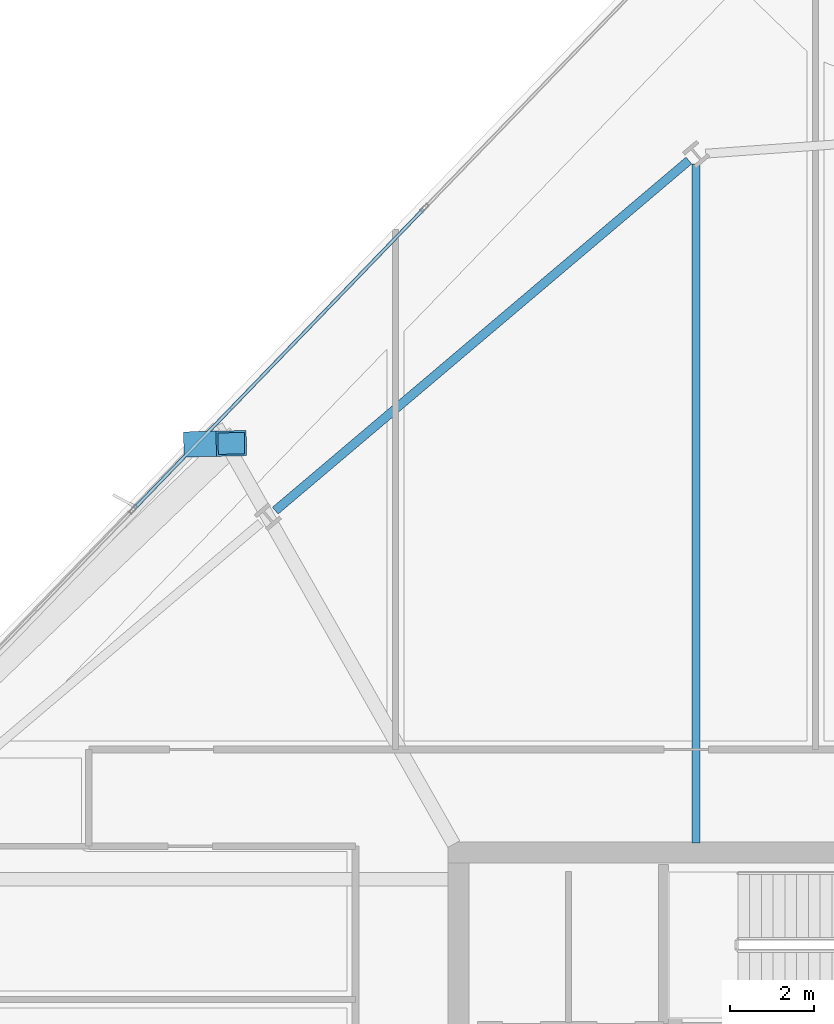
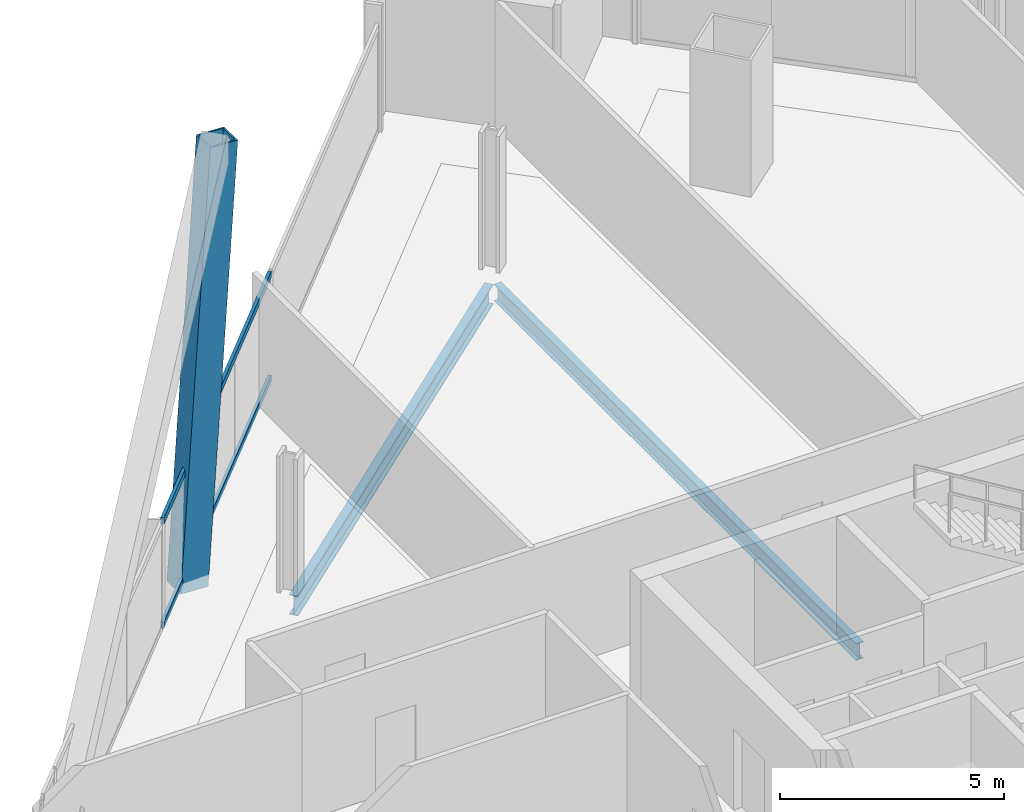
# One storey, part 18 of 33: 3 members, 2 beams, 1 element without a shape of its own.
"""IFC4 building model written with IfcOpenShell, lengths in metres."""

from ifc_helpers import new_model, si_unit, direction, frame, origin, origin_2d, place, context, subcontext, project, spatial, hollow_rectangle, i_section, extrude, material, material_profile, profile_set, type_object, element, aggregate, save


model = new_model("IFC4")

# Units and contexts
model_context = context("Model", 3, precision=1e-05, world=origin(), true_north=direction((0.0, 1.0)))
body_context = subcontext(model_context, "Body", "Model", "MODEL_VIEW")
ifc_project = project(units=[si_unit("LENGTHUNIT", "METRE"), si_unit("AREAUNIT", "SQUARE_METRE"), si_unit("VOLUMEUNIT", "CUBIC_METRE"), si_unit("PLANEANGLEUNIT", "RADIAN"), si_unit("MASSUNIT", "GRAM", prefix="KILO")], contexts=[model_context])

# Site, building, storey
site_placement = place(None, origin())
site = spatial("IfcSite", under=ifc_project, at=site_placement, CompositionType="ELEMENT")
building_placement = place(site_placement, origin())
building = spatial("IfcBuilding", under=site, at=building_placement, Name="Haldenkirk Collegiate Tower", CompositionType="ELEMENT")
storey_placement = place(building_placement, frame((0.0, 0.0, 181.949951171875)))
storey = spatial("IfcBuildingStorey", under=building, at=storey_placement, Name="L45", CompositionType="ELEMENT", Elevation=181.949951171875)

# Beams
ifc_material_1 = material(Name="Steel ASTM A992 Grade 50", Category="steel")
ifc_material_profile_1 = material_profile(ifc_material_1, i_section(OverallWidth=0.18994140625, OverallDepth=0.45703125, WebThickness=0.009033203125, FlangeThickness=0.014404296875, at=origin_2d()), Name="W18X50")
ifc_profile_set_1 = profile_set([ifc_material_profile_1], Name="Steel ASTM A992 Grade 50")
beam_type_1 = type_object("IfcBeamType", Name="BM-JOIST-W18X50", PredefinedType="JOIST", material=ifc_profile_set_1)
beam_1_placement = place(storey_placement, frame((32.657470703125, 50.390380859375, -0.5185546875), z_axis=(0.0, -1.0, 0.0), x_axis=(1.0, 0.0, 0.0)))
element("IfcBeam", 1, at=beam_1_placement, inside=storey, type_object=beam_type_1, Name="L45 composite floor joist 11", PredefinedType="JOIST", context=body_context, shape_type="SweptSolid", body=[
    extrude(i_section(OverallWidth=0.18994140625, OverallDepth=0.45703125, WebThickness=0.009033203125, FlangeThickness=0.014404296875, at=origin_2d()), origin(), (0.0, 0.0, 1.0), 16.160400390625),
])
ifc_material_profile_2 = material_profile(ifc_material_1, i_section(OverallWidth=0.2119140625, OverallDepth=0.5439453125, WebThickness=0.01318359375, FlangeThickness=0.021240234375, at=origin_2d()), Name="W21X83")
ifc_profile_set_2 = profile_set([ifc_material_profile_2], Name="Steel ASTM A992 Grade 50")
beam_type_2 = type_object("IfcBeamType", Name="BM-SPANDREL-W21X83", PredefinedType="SPANDREL", material=ifc_profile_set_2)
beam_2_placement = place(storey_placement, frame((32.482666015625, 50.471435546875, -0.56201171875), z_axis=(-0.763233335078, -0.646122957514, 0.0), x_axis=(0.646122957514, -0.763233335078, 0.0)))
element("IfcBeam", 2, at=beam_2_placement, inside=storey, type_object=beam_type_2, Name="L45 perimeter spandrel beam 10", PredefinedType="SPANDREL", context=body_context, shape_type="SweptSolid", body=[
    extrude(i_section(OverallWidth=0.2119140625, OverallDepth=0.5439453125, WebThickness=0.01318359375, FlangeThickness=0.021240234375, at=origin_2d()), origin(), (0.0, 0.0, 1.0), 12.898193359375),
])

# Curtain wall, members
ifc_material_2 = material(Name="Anodised architectural bronze aluminium", Category="aluminium")
curtain_wall_type = type_object("IfcCurtainWallType", Name="CW-SYS1-CONVEX-LOW", PredefinedType="USERDEFINED", material=ifc_material_2)
curtain_wall_placement = place(storey_placement, origin())
curtain_wall = element("IfcCurtainWall", 3, at=curtain_wall_placement, inside=storey, type_object=curtain_wall_type, Name="L45 Lower tower convex bronze-framed unitised curtain wall", ObjectType="UNITISED CURTAIN WALL", PredefinedType="USERDEFINED")
ifc_material_profile_3 = material_profile(ifc_material_2, hollow_rectangle(XDim=0.080078125, YDim=0.179931640625, WallThickness=0.0048828125, at=origin_2d()), Name="CW-TRN-1A")
ifc_profile_set_3 = profile_set([ifc_material_profile_3], Name="Anodised architectural bronze aluminium")
member_type_1 = type_object("IfcMemberType", Name="CW-TRN-1A", PredefinedType="USERDEFINED", material=ifc_profile_set_3)
member_1_placement = place(storey_placement, frame((19.288818359375, 42.193603515625, 0.0400390625), z_axis=(0.694662321433, 0.719335984906, 0.0), x_axis=(-0.719335984906, 0.694662321433, 0.0)))
member_1 = element("IfcMember", 4, at=member_1_placement, type_object=member_type_1, Name="CW-1A transom 3.1", ObjectType="TRANSOM", PredefinedType="USERDEFINED", context=body_context, shape_type="SweptSolid", body=[
    extrude(hollow_rectangle(XDim=0.080078125, YDim=0.179931640625, WallThickness=0.0048828125, at=origin_2d()), origin(), (0.0, 0.0, 1.0), 9.894775390625),
])
member_2_placement = place(storey_placement, frame((19.288818359375, 42.193603515625, 2.87109375), z_axis=(0.694662321433, 0.719335984906, 0.0), x_axis=(-0.719335984906, 0.694662321433, 0.0)))
member_2 = element("IfcMember", 5, at=member_2_placement, type_object=member_type_1, Name="CW-1A transom 3.2", ObjectType="TRANSOM", PredefinedType="USERDEFINED", context=body_context, shape_type="SweptSolid", body=[
    extrude(hollow_rectangle(XDim=0.080078125, YDim=0.179931640625, WallThickness=0.0048828125, at=origin_2d()), origin(), (0.0, 0.0, 1.0), 9.894775390625),
])
aggregate(curtain_wall, [member_1, member_2])

# Member
ifc_material_3 = material(Name="Steel ASTM A572 Grade 50", Category="steel")
ifc_material_profile_4 = material_profile(ifc_material_3, hollow_rectangle(XDim=0.60009765625, YDim=0.719970703125, WallThickness=0.044921875, at=origin_2d()), Name="BOX720X600X45")
ifc_profile_set_4 = profile_set([ifc_material_profile_4], Name="Steel ASTM A572 Grade 50")
member_type_2 = type_object("IfcMemberType", Name="MBR-MEGABRACE-BOX720X600X45", PredefinedType="BRACE", material=ifc_profile_set_4)
member_3_placement = place(storey_placement, frame((20.819091796875, 43.720703125, -0.300048828125), z_axis=(0.064863767056, 0.00145599983, 0.997893066309), x_axis=(-0.022441390888, 0.999748160276, 0.0)))
element("IfcMember", 6, at=member_3_placement, inside=storey, type_object=member_type_2, Name="Perimeter Mega Brace Z3 L45-L47 NL", PredefinedType="BRACE", context=body_context, shape_type="SweptSolid", body=[
    extrude(hollow_rectangle(XDim=0.60009765625, YDim=0.719970703125, WallThickness=0.044921875, at=origin_2d()), origin(), (0.0, 0.0, 1.0), 11.9052734375),
])

save(model, "model.ifc")
